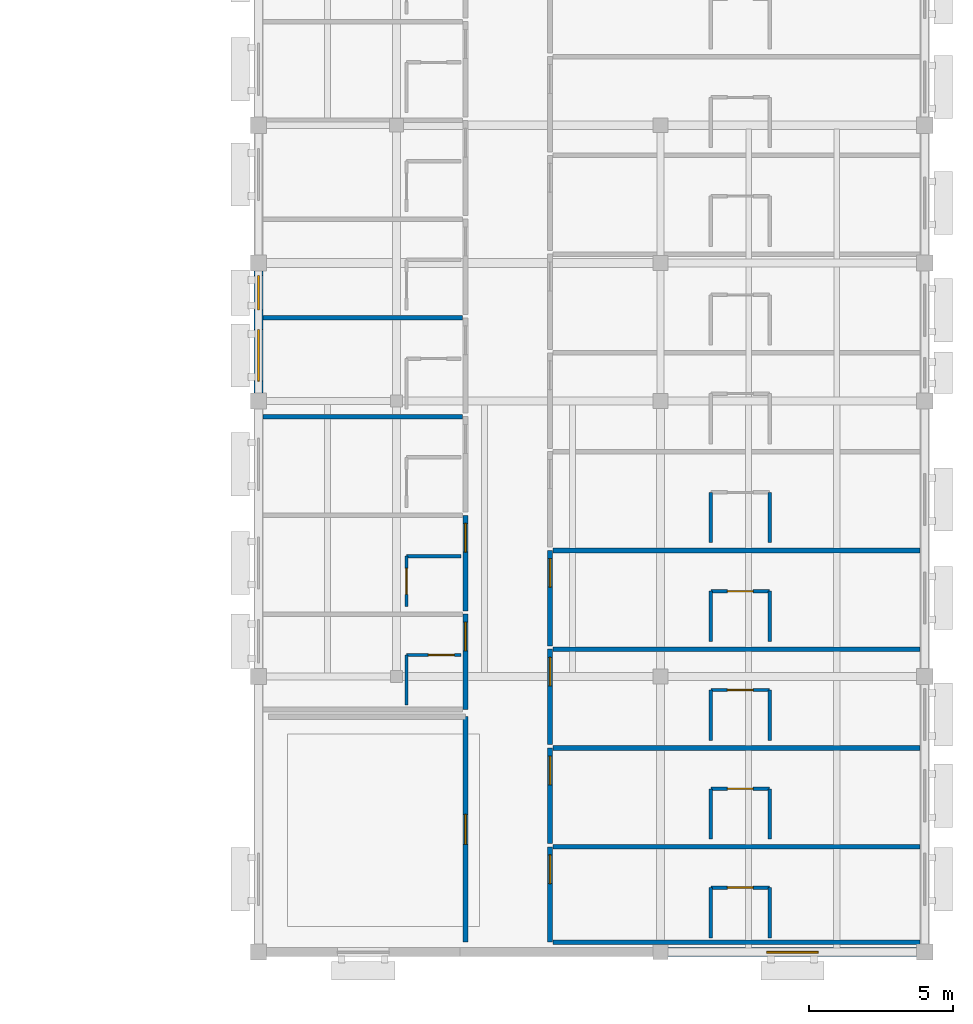
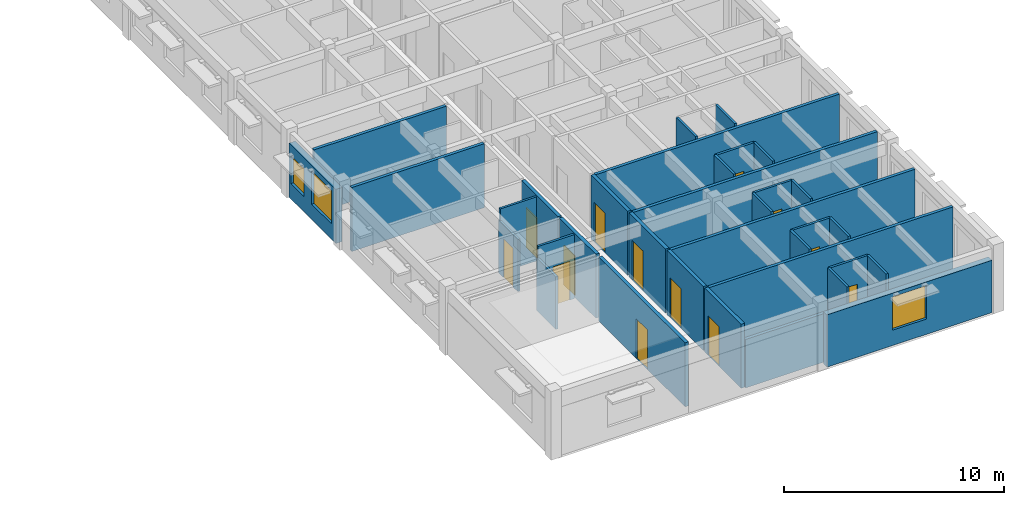
# One storey, part 10 of 31: 34 walls, 13 doors, 3 windows, 16 openings.
"""IFC4 building model written with IfcOpenShell, lengths in metres."""

from ifc_helpers import new_model, si_unit, direction, frame, frame_2d, origin, place, context, subcontext, project, spatial, rectangle, extrude, material, layer, layer_set, type_object, element, fill, save


model = new_model("IFC4")

# Units and contexts
model_context = context("Model", 3, precision=1e-05, world=origin(), true_north=direction((0.0, 1.0)))
body_context = subcontext(model_context, "Body", "Model", "MODEL_VIEW")
ifc_project = project(units=[si_unit("LENGTHUNIT", "METRE"), si_unit("AREAUNIT", "SQUARE_METRE"), si_unit("VOLUMEUNIT", "CUBIC_METRE"), si_unit("PLANEANGLEUNIT", "RADIAN"), si_unit("MASSUNIT", "GRAM", prefix="KILO")], contexts=[model_context])

# Site, building, storey
site_placement = place(None, origin())
site = spatial("IfcSite", under=ifc_project, at=site_placement, CompositionType="ELEMENT")
building_placement = place(site_placement, origin())
building = spatial("IfcBuilding", under=site, at=building_placement, Name="Veldera Park Congress Hotel", CompositionType="ELEMENT")
storey_placement = place(building_placement, frame((0.0, 0.0, 20.0)))
storey = spatial("IfcBuildingStorey", under=building, at=storey_placement, Name="L04", CompositionType="ELEMENT", Elevation=20.0)

# Wall, opening, window
ifc_material_1 = material(Name="Cross-laminated timber CLT V2M1.1", Category="wood")
ifc_layer_1 = layer(ifc_material_1, 0.320068359375)
ifc_layer_set_1 = layer_set([ifc_layer_1], Name="Cross-laminated timber CLT V2M1.1")
wall_type_1 = type_object("IfcWallType", Name="EW-CLT320", PredefinedType="STANDARD", material=ifc_layer_set_1)
wall_1_placement = place(storey_placement, frame((75.05810546875, -47.39990234375, 0.0), z_axis=(0.0, 0.0, 1.0), x_axis=(1.0, 0.0, 0.0)))
wall_1 = element("IfcWall", 1, at=wall_1_placement, inside=storey, type_object=wall_type_1, Name="L04 Exterior Wall EW3-L04-0244", PredefinedType="STANDARD", context=body_context, shape_type="SweptSolid", body=[
    extrude(rectangle(XDim=8.663818359375, YDim=0.320068359375, at=frame_2d((4.33203125, 0.0))), origin(), (0.0, 0.0, 1.0), 2.905029296875),
])
opening_1_placement = place(wall_1_placement, frame((3.431884765625, 0.0, 0.85009765625)))
opening_1 = element("IfcOpeningElement", 2, at=opening_1_placement, cuts=wall_1, Name="Opening WIN-1800", PredefinedType="OPENING", context=body_context, shape_type="SweptSolid", body=[
    extrude(rectangle(XDim=1.800048828125, YDim=1.85009765625, at=frame_2d((0.89990234375, 0.925048828125))), frame((0.0, 0.172119140625, 0.0), z_axis=(0.0, -1.0, 0.0), x_axis=(1.0, 0.0, 0.0)), (0.0, 0.0, 1.0), 0.343994140625),
])
ifc_material_2 = material(Name="Low-E Triple Insulating Glass Unit (SHGC 0.22)", Category="glass")
window_type_1 = type_object("IfcWindowType", Name="WIN-1800", PartitioningType="SINGLE_PANEL", PredefinedType="WINDOW", material=ifc_material_2)
window_1_placement = place(opening_1_placement, origin())
window_1 = element("IfcWindow", 3, at=window_1_placement, inside=storey, type_object=window_type_1, Name="L04 Window WIN-1800 200", OverallHeight=1.85009765625, OverallWidth=1.800048828125, PartitioningType="SINGLE_PANEL", PredefinedType="WINDOW", context=body_context, shape_type="SweptSolid", body=[
    extrude(rectangle(XDim=1.800048828125, YDim=1.85009765625, at=frame_2d((0.89990234375, 0.925048828125))), frame((0.0, 0.030029296875, 0.0), z_axis=(0.0, -1.0, 0.0), x_axis=(1.0, 0.0, 0.0)), (0.0, 0.0, 1.0), 0.06005859375),
])
fill(opening_1, window_1)

# Wall, openings, windows
wall_2_placement = place(storey_placement, frame((60.800048828125, -23.677978515625, 0.0), z_axis=(0.0, 0.0, 1.0), x_axis=(0.0, -1.0, 0.0)))
wall_2 = element("IfcWall", 4, at=wall_2_placement, inside=storey, type_object=wall_type_1, Name="L04 Exterior Wall EW3-L04-0273", PredefinedType="STANDARD", context=body_context, shape_type="SweptSolid", body=[
    extrude(rectangle(XDim=4.244140625, YDim=0.320068359375, at=frame_2d((2.1220703125, 0.0))), origin(), (0.0, 0.0, 1.0), 3.0048828125),
])
opening_2_placement = place(wall_2_placement, frame((2.0380859375, 0.0, 0.85009765625)))
opening_2 = element("IfcOpeningElement", 5, at=opening_2_placement, cuts=wall_2, Name="Opening WIN-1800", PredefinedType="OPENING", context=body_context, shape_type="SweptSolid", body=[
    extrude(rectangle(XDim=1.800048828125, YDim=1.85009765625, at=frame_2d((0.89990234375, 0.925048828125))), frame((0.0, 0.172119140625, 0.0), z_axis=(0.0, -1.0, 0.0), x_axis=(1.0, 0.0, 0.0)), (0.0, 0.0, 1.0), 0.343994140625),
])
opening_3_placement = place(wall_2_placement, frame((0.156005859375, 0.0, 0.85009765625)))
opening_3 = element("IfcOpeningElement", 6, at=opening_3_placement, cuts=wall_2, Name="Opening WIN-1200", PredefinedType="OPENING", context=body_context, shape_type="SweptSolid", body=[
    extrude(rectangle(XDim=1.199951171875, YDim=1.550048828125, at=frame_2d((0.60009765625, 0.77490234375))), frame((0.0, 0.172119140625, 0.0), z_axis=(0.0, -1.0, 0.0), x_axis=(1.0, 0.0, 0.0)), (0.0, 0.0, 1.0), 0.343994140625),
])
window_type_2 = type_object("IfcWindowType", Name="WIN-1200", PartitioningType="SINGLE_PANEL", PredefinedType="WINDOW", material=ifc_material_2)
window_2_placement = place(opening_3_placement, origin())
window_2 = element("IfcWindow", 7, at=window_2_placement, inside=storey, type_object=window_type_2, Name="L04 Window WIN-1200 443", OverallHeight=1.550048828125, OverallWidth=1.199951171875, PartitioningType="SINGLE_PANEL", PredefinedType="WINDOW", context=body_context, shape_type="SweptSolid", body=[
    extrude(rectangle(XDim=1.199951171875, YDim=1.550048828125, at=frame_2d((0.60009765625, 0.77490234375))), frame((0.0, 0.030029296875, 0.0), z_axis=(0.0, -1.0, 0.0), x_axis=(1.0, 0.0, 0.0)), (0.0, 0.0, 1.0), 0.06005859375),
])
fill(opening_3, window_2)
window_3_placement = place(opening_2_placement, origin())
window_3 = element("IfcWindow", 8, at=window_3_placement, inside=storey, type_object=window_type_1, Name="L04 Window WIN-1800 442", OverallHeight=1.85009765625, OverallWidth=1.800048828125, PartitioningType="SINGLE_PANEL", PredefinedType="WINDOW", context=body_context, shape_type="SweptSolid", body=[
    extrude(rectangle(XDim=1.800048828125, YDim=1.85009765625, at=frame_2d((0.89990234375, 0.925048828125))), frame((0.0, 0.030029296875, 0.0), z_axis=(0.0, -1.0, 0.0), x_axis=(1.0, 0.0, 0.0)), (0.0, 0.0, 1.0), 0.06005859375),
])
fill(opening_2, window_3)

# Wall
ifc_material_3 = material(Name="Fire-Rated Gypsum Board on Cold-Formed Steel Studs", Category="steel")
ifc_layer_2 = layer(ifc_material_3, 0.1201171875)
ifc_layer_set_2 = layer_set([ifc_layer_2], Name="Fire-Rated Gypsum Board on Cold-Formed Steel Studs")
wall_type_2 = type_object("IfcWallType", Name="IW-BATH120", PredefinedType="PARTITIONING", material=ifc_layer_set_2)
wall_3_placement = place(storey_placement, frame((65.949951171875, -38.800048828125, 0.0), z_axis=(0.0, 0.0, 1.0), x_axis=(0.0, 1.0, 0.0)))
element("IfcWall", 9, at=wall_3_placement, inside=storey, type_object=wall_type_2, Name="L04 Partition Wall IW3-L04-00805", PredefinedType="PARTITIONING", context=body_context, shape_type="SweptSolid", body=[
    extrude(rectangle(XDim=1.75, YDim=0.1201171875, at=frame_2d((0.875, 0.0))), origin(), (0.0, 0.0, 1.0), 2.905029296875),
])

# Wall, opening, door
wall_4_placement = place(storey_placement, frame((65.949951171875, -37.050048828125, 0.0), z_axis=(0.0, 0.0, 1.0), x_axis=(1.0, 0.0, 0.0)))
wall_4 = element("IfcWall", 10, at=wall_4_placement, inside=storey, type_object=wall_type_2, Name="L04 Partition Wall IW3-L04-00806", PredefinedType="PARTITIONING", context=body_context, shape_type="SweptSolid", body=[
    extrude(rectangle(XDim=1.900146484375, YDim=0.1201171875, at=frame_2d((0.9501953125, 0.0))), origin(), (0.0, 0.0, 1.0), 3.550048828125),
])
opening_4_placement = place(wall_4_placement, frame((0.76611328125, 0.0, 0.0)))
opening_4 = element("IfcOpeningElement", 11, at=opening_4_placement, cuts=wall_4, Name="Opening ID-BATH090", PredefinedType="OPENING", context=body_context, shape_type="SweptSolid", body=[
    extrude(rectangle(XDim=0.89990234375, YDim=2.14990234375, at=frame_2d((0.449951171875, 1.074951171875))), frame((0.0, 0.072021484375, 0.0), z_axis=(0.0, -1.0, 0.0), x_axis=(1.0, 0.0, 0.0)), (0.0, 0.0, 1.0), 0.14404296875),
])
ifc_material_4 = material(Name="Solid Core White Oak Architectural Door", Category="wood")
door_type_1 = type_object("IfcDoorType", Name="ID-BATH090", OperationType="NOTDEFINED", PredefinedType="DOOR", material=ifc_material_4)
door_1_placement = place(opening_4_placement, origin())
door_1 = element("IfcDoor", 12, at=door_1_placement, inside=storey, type_object=door_type_1, Name="L04 En-suite 095 Door ID3-L04-0329 (DR3-ID3-L04-0329)", OperationType="SINGLE_SWING_LEFT", OverallHeight=2.14990234375, OverallWidth=0.89990234375, PredefinedType="DOOR", context=body_context, shape_type="SweptSolid", body=[
    extrude(rectangle(XDim=0.89990234375, YDim=2.14990234375, at=frame_2d((0.449951171875, 1.074951171875))), frame((0.0, 0.02490234375, 0.0), z_axis=(0.0, -1.0, 0.0), x_axis=(1.0, 0.0, 0.0)), (0.0, 0.0, 1.0), 0.050048828125),
])
fill(opening_4, door_1)

wall_5_placement = place(storey_placement, frame((65.949951171875, -35.360107421875, 0.0), z_axis=(0.0, 0.0, 1.0), x_axis=(0.0, 1.0, 0.0)))
wall_5 = element("IfcWall", 13, at=wall_5_placement, inside=storey, type_object=wall_type_2, Name="L04 Partition Wall IW3-L04-00809", PredefinedType="PARTITIONING", context=body_context, shape_type="SweptSolid", body=[
    extrude(rectangle(XDim=1.75, YDim=0.1201171875, at=frame_2d((0.875, 0.0))), origin(), (0.0, 0.0, 1.0), 2.905029296875),
])
opening_5_placement = place(wall_5_placement, frame((0.425048828125, 0.0, 0.0)))
opening_5 = element("IfcOpeningElement", 14, at=opening_5_placement, cuts=wall_5, Name="Opening ID-BATH090", PredefinedType="OPENING", context=body_context, shape_type="SweptSolid", body=[
    extrude(rectangle(XDim=0.89990234375, YDim=2.14990234375, at=frame_2d((0.449951171875, 1.074951171875))), frame((0.0, 0.072021484375, 0.0), z_axis=(0.0, -1.0, 0.0), x_axis=(1.0, 0.0, 0.0)), (0.0, 0.0, 1.0), 0.14404296875),
])
door_2_placement = place(opening_5_placement, origin())
door_2 = element("IfcDoor", 15, at=door_2_placement, inside=storey, type_object=door_type_1, Name="L04 En-suite 096 Door ID3-L04-0331 (DR3-ID3-L04-0331)", OperationType="SINGLE_SWING_LEFT", OverallHeight=2.14990234375, OverallWidth=0.89990234375, PredefinedType="DOOR", context=body_context, shape_type="SweptSolid", body=[
    extrude(rectangle(XDim=0.89990234375, YDim=2.14990234375, at=frame_2d((0.449951171875, 1.074951171875))), frame((0.0, 0.02490234375, 0.0), z_axis=(0.0, -1.0, 0.0), x_axis=(1.0, 0.0, 0.0)), (0.0, 0.0, 1.0), 0.050048828125),
])
fill(opening_5, door_2)

# Walls
wall_6_placement = place(storey_placement, frame((65.949951171875, -33.610107421875, 0.0), z_axis=(0.0, 0.0, 1.0), x_axis=(1.0, 0.0, 0.0)))
element("IfcWall", 16, at=wall_6_placement, inside=storey, type_object=wall_type_2, Name="L04 Partition Wall IW3-L04-00810", PredefinedType="PARTITIONING", context=body_context, shape_type="SweptSolid", body=[
    extrude(rectangle(XDim=1.900146484375, YDim=0.1201171875, at=frame_2d((0.9501953125, 0.0))), origin(), (0.0, 0.0, 1.0), 3.550048828125),
])
for number, where, z_axis, x_axis, name in (
    (17, (76.550048828125, -46.89990234375, 0.0), (0.0, 0.0, 1.0), (0.0, 1.0, 0.0), "L04 Partition Wall IW3-L04-00882"),
    (18, (78.60009765625, -46.89990234375, 0.0), (0.0, 0.0, 1.0), (0.0, 1.0, 0.0), "L04 Partition Wall IW3-L04-00883"),
):
    element("IfcWall", number, at=place(storey_placement, frame(where, z_axis=z_axis, x_axis=x_axis)), inside=storey, type_object=wall_type_2, Name=name, PredefinedType="PARTITIONING", context=body_context, shape_type="SweptSolid", body=[
        extrude(rectangle(XDim=1.75, YDim=0.1201171875, at=frame_2d((0.875, 0.0))), origin(), (0.0, 0.0, 1.0), 3.550048828125),
    ])

# Wall, opening, door
wall_7_placement = place(storey_placement, frame((76.550048828125, -45.14990234375, 0.0), z_axis=(0.0, 0.0, 1.0), x_axis=(1.0, 0.0, 0.0)))
wall_7 = element("IfcWall", 19, at=wall_7_placement, inside=storey, type_object=wall_type_2, Name="L04 Partition Wall IW3-L04-00884", PredefinedType="PARTITIONING", context=body_context, shape_type="SweptSolid", body=[
    extrude(rectangle(XDim=2.050048828125, YDim=0.1201171875, at=frame_2d((1.02490234375, 0.0))), origin(), (0.0, 0.0, 1.0), 3.550048828125),
])
opening_6_placement = place(wall_7_placement, frame((0.574951171875, 0.0, 0.0)))
opening_6 = element("IfcOpeningElement", 20, at=opening_6_placement, cuts=wall_7, Name="Opening ID-BATH090", PredefinedType="OPENING", context=body_context, shape_type="SweptSolid", body=[
    extrude(rectangle(XDim=0.89990234375, YDim=2.14990234375, at=frame_2d((0.449951171875, 1.074951171875))), frame((0.0, 0.072021484375, 0.0), z_axis=(0.0, -1.0, 0.0), x_axis=(1.0, 0.0, 0.0)), (0.0, 0.0, 1.0), 0.14404296875),
])
door_3_placement = place(opening_6_placement, origin())
door_3 = element("IfcDoor", 21, at=door_3_placement, inside=storey, type_object=door_type_1, Name="L04 En-suite 114 Door ID3-L04-0367 (DR3-ID3-L04-0367)", OperationType="SINGLE_SWING_LEFT", OverallHeight=2.14990234375, OverallWidth=0.89990234375, PredefinedType="DOOR", context=body_context, shape_type="SweptSolid", body=[
    extrude(rectangle(XDim=0.89990234375, YDim=2.14990234375, at=frame_2d((0.449951171875, 1.074951171875))), frame((0.0, 0.02490234375, 0.0), z_axis=(0.0, -1.0, 0.0), x_axis=(1.0, 0.0, 0.0)), (0.0, 0.0, 1.0), 0.050048828125),
])
fill(opening_6, door_3)

# Walls
for number, where, z_axis, x_axis, name in (
    (22, (76.550048828125, -43.4599609375, 0.0), (0.0, 0.0, 1.0), (0.0, 1.0, 0.0), "L04 Partition Wall IW3-L04-00887"),
    (23, (78.60009765625, -43.4599609375, 0.0), (0.0, 0.0, 1.0), (0.0, 1.0, 0.0), "L04 Partition Wall IW3-L04-00888"),
):
    element("IfcWall", number, at=place(storey_placement, frame(where, z_axis=z_axis, x_axis=x_axis)), inside=storey, type_object=wall_type_2, Name=name, PredefinedType="PARTITIONING", context=body_context, shape_type="SweptSolid", body=[
        extrude(rectangle(XDim=1.75, YDim=0.1201171875, at=frame_2d((0.875, 0.0))), origin(), (0.0, 0.0, 1.0), 3.550048828125),
    ])

# Wall, opening, door
wall_8_placement = place(storey_placement, frame((76.550048828125, -41.7099609375, 0.0), z_axis=(0.0, 0.0, 1.0), x_axis=(1.0, 0.0, 0.0)))
wall_8 = element("IfcWall", 24, at=wall_8_placement, inside=storey, type_object=wall_type_2, Name="L04 Partition Wall IW3-L04-00889", PredefinedType="PARTITIONING", context=body_context, shape_type="SweptSolid", body=[
    extrude(rectangle(XDim=2.050048828125, YDim=0.1201171875, at=frame_2d((1.02490234375, 0.0))), origin(), (0.0, 0.0, 1.0), 3.550048828125),
])
opening_7_placement = place(wall_8_placement, frame((0.574951171875, 0.0, 0.0)))
opening_7 = element("IfcOpeningElement", 25, at=opening_7_placement, cuts=wall_8, Name="Opening ID-BATH090", PredefinedType="OPENING", context=body_context, shape_type="SweptSolid", body=[
    extrude(rectangle(XDim=0.89990234375, YDim=2.14990234375, at=frame_2d((0.449951171875, 1.074951171875))), frame((0.0, 0.072021484375, 0.0), z_axis=(0.0, -1.0, 0.0), x_axis=(1.0, 0.0, 0.0)), (0.0, 0.0, 1.0), 0.14404296875),
])
door_4_placement = place(opening_7_placement, origin())
door_4 = element("IfcDoor", 26, at=door_4_placement, inside=storey, type_object=door_type_1, Name="L04 En-suite 115 Door ID3-L04-0369 (DR3-ID3-L04-0369)", OperationType="SINGLE_SWING_LEFT", OverallHeight=2.14990234375, OverallWidth=0.89990234375, PredefinedType="DOOR", context=body_context, shape_type="SweptSolid", body=[
    extrude(rectangle(XDim=0.89990234375, YDim=2.14990234375, at=frame_2d((0.449951171875, 1.074951171875))), frame((0.0, 0.02490234375, 0.0), z_axis=(0.0, -1.0, 0.0), x_axis=(1.0, 0.0, 0.0)), (0.0, 0.0, 1.0), 0.050048828125),
])
fill(opening_7, door_4)

# Walls
for number, where, z_axis, x_axis, name in (
    (27, (76.550048828125, -40.02001953125, 0.0), (0.0, 0.0, 1.0), (0.0, 1.0, 0.0), "L04 Partition Wall IW3-L04-00892"),
    (28, (78.60009765625, -40.02001953125, 0.0), (0.0, 0.0, 1.0), (0.0, 1.0, 0.0), "L04 Partition Wall IW3-L04-00893"),
):
    element("IfcWall", number, at=place(storey_placement, frame(where, z_axis=z_axis, x_axis=x_axis)), inside=storey, type_object=wall_type_2, Name=name, PredefinedType="PARTITIONING", context=body_context, shape_type="SweptSolid", body=[
        extrude(rectangle(XDim=1.75, YDim=0.1201171875, at=frame_2d((0.875, 0.0))), origin(), (0.0, 0.0, 1.0), 3.550048828125),
    ])

# Wall, opening, door
wall_9_placement = place(storey_placement, frame((76.550048828125, -38.27001953125, 0.0), z_axis=(0.0, 0.0, 1.0), x_axis=(1.0, 0.0, 0.0)))
wall_9 = element("IfcWall", 29, at=wall_9_placement, inside=storey, type_object=wall_type_2, Name="L04 Partition Wall IW3-L04-00894", PredefinedType="PARTITIONING", context=body_context, shape_type="SweptSolid", body=[
    extrude(rectangle(XDim=2.050048828125, YDim=0.1201171875, at=frame_2d((1.02490234375, 0.0))), origin(), (0.0, 0.0, 1.0), 3.550048828125),
])
opening_8_placement = place(wall_9_placement, frame((0.574951171875, 0.0, 0.0)))
opening_8 = element("IfcOpeningElement", 30, at=opening_8_placement, cuts=wall_9, Name="Opening ID-BATH090", PredefinedType="OPENING", context=body_context, shape_type="SweptSolid", body=[
    extrude(rectangle(XDim=0.89990234375, YDim=2.14990234375, at=frame_2d((0.449951171875, 1.074951171875))), frame((0.0, 0.072021484375, 0.0), z_axis=(0.0, -1.0, 0.0), x_axis=(1.0, 0.0, 0.0)), (0.0, 0.0, 1.0), 0.14404296875),
])
door_5_placement = place(opening_8_placement, origin())
door_5 = element("IfcDoor", 31, at=door_5_placement, inside=storey, type_object=door_type_1, Name="L04 En-suite 116 Door ID3-L04-0371 (DR3-ID3-L04-0371)", OperationType="SINGLE_SWING_LEFT", OverallHeight=2.14990234375, OverallWidth=0.89990234375, PredefinedType="DOOR", context=body_context, shape_type="SweptSolid", body=[
    extrude(rectangle(XDim=0.89990234375, YDim=2.14990234375, at=frame_2d((0.449951171875, 1.074951171875))), frame((0.0, 0.02490234375, 0.0), z_axis=(0.0, -1.0, 0.0), x_axis=(1.0, 0.0, 0.0)), (0.0, 0.0, 1.0), 0.050048828125),
])
fill(opening_8, door_5)

# Walls
for number, where, z_axis, x_axis, name in (
    (32, (76.550048828125, -36.580078125, 0.0), (0.0, 0.0, 1.0), (0.0, 1.0, 0.0), "L04 Partition Wall IW3-L04-00897"),
    (33, (78.60009765625, -36.580078125, 0.0), (0.0, 0.0, 1.0), (0.0, 1.0, 0.0), "L04 Partition Wall IW3-L04-00898"),
):
    element("IfcWall", number, at=place(storey_placement, frame(where, z_axis=z_axis, x_axis=x_axis)), inside=storey, type_object=wall_type_2, Name=name, PredefinedType="PARTITIONING", context=body_context, shape_type="SweptSolid", body=[
        extrude(rectangle(XDim=1.75, YDim=0.1201171875, at=frame_2d((0.875, 0.0))), origin(), (0.0, 0.0, 1.0), 3.550048828125),
    ])

# Wall, opening, door
wall_10_placement = place(storey_placement, frame((76.550048828125, -34.830078125, 0.0), z_axis=(0.0, 0.0, 1.0), x_axis=(1.0, 0.0, 0.0)))
wall_10 = element("IfcWall", 34, at=wall_10_placement, inside=storey, type_object=wall_type_2, Name="L04 Partition Wall IW3-L04-00899", PredefinedType="PARTITIONING", context=body_context, shape_type="SweptSolid", body=[
    extrude(rectangle(XDim=2.050048828125, YDim=0.1201171875, at=frame_2d((1.02490234375, 0.0))), origin(), (0.0, 0.0, 1.0), 3.550048828125),
])
opening_9_placement = place(wall_10_placement, frame((0.574951171875, 0.0, 0.0)))
opening_9 = element("IfcOpeningElement", 35, at=opening_9_placement, cuts=wall_10, Name="Opening ID-BATH090", PredefinedType="OPENING", context=body_context, shape_type="SweptSolid", body=[
    extrude(rectangle(XDim=0.89990234375, YDim=2.14990234375, at=frame_2d((0.449951171875, 1.074951171875))), frame((0.0, 0.072021484375, 0.0), z_axis=(0.0, -1.0, 0.0), x_axis=(1.0, 0.0, 0.0)), (0.0, 0.0, 1.0), 0.14404296875),
])
door_6_placement = place(opening_9_placement, origin())
door_6 = element("IfcDoor", 36, at=door_6_placement, inside=storey, type_object=door_type_1, Name="L04 En-suite 117 Door ID3-L04-0373 (DR3-ID3-L04-0373)", OperationType="SINGLE_SWING_LEFT", OverallHeight=2.14990234375, OverallWidth=0.89990234375, PredefinedType="DOOR", context=body_context, shape_type="SweptSolid", body=[
    extrude(rectangle(XDim=0.89990234375, YDim=2.14990234375, at=frame_2d((0.449951171875, 1.074951171875))), frame((0.0, 0.02490234375, 0.0), z_axis=(0.0, -1.0, 0.0), x_axis=(1.0, 0.0, 0.0)), (0.0, 0.0, 1.0), 0.050048828125),
])
fill(opening_9, door_6)

# Walls
for number, where, z_axis, x_axis, name in (
    (37, (76.550048828125, -33.139892578125, 0.0), (0.0, 0.0, 1.0), (0.0, 1.0, 0.0), "L04 Partition Wall IW3-L04-00902"),
    (38, (78.60009765625, -33.139892578125, 0.0), (0.0, 0.0, 1.0), (0.0, 1.0, 0.0), "L04 Partition Wall IW3-L04-00903"),
):
    element("IfcWall", number, at=place(storey_placement, frame(where, z_axis=z_axis, x_axis=x_axis)), inside=storey, type_object=wall_type_2, Name=name, PredefinedType="PARTITIONING", context=body_context, shape_type="SweptSolid", body=[
        extrude(rectangle(XDim=1.75, YDim=0.1201171875, at=frame_2d((0.875, 0.0))), origin(), (0.0, 0.0, 1.0), 3.550048828125),
    ])

# Wall, opening, door
ifc_layer_3 = layer(ifc_material_3, 0.179931640625)
ifc_layer_set_3 = layer_set([ifc_layer_3], Name="Fire-Rated Gypsum Board on Cold-Formed Steel Studs")
wall_type_3 = type_object("IfcWallType", Name="IW-CORR180", PredefinedType="PARTITIONING", material=ifc_layer_set_3)
wall_11_placement = place(storey_placement, frame((68.0, -47.050048828125, 0.0), z_axis=(0.0, 0.0, 1.0), x_axis=(0.0, 1.0, 0.0)))
wall_11 = element("IfcWall", 39, at=wall_11_placement, inside=storey, type_object=wall_type_3, Name="L04 Partition Wall IW3-L04-00249", PredefinedType="PARTITIONING", context=body_context, shape_type="SweptSolid", body=[
    extrude(rectangle(XDim=7.85009765625, YDim=0.179931640625, at=frame_2d((3.925048828125, 0.0))), origin(), (0.0, 0.0, 1.0), 3.550048828125),
])
opening_10_placement = place(wall_11_placement, frame((3.39990234375, 0.0, 0.0)))
opening_10 = element("IfcOpeningElement", 40, at=opening_10_placement, cuts=wall_11, Name="Opening ID-MEET105", PredefinedType="OPENING", context=body_context, shape_type="SweptSolid", body=[
    extrude(rectangle(XDim=1.050048828125, YDim=2.199951171875, at=frame_2d((0.52490234375, 1.10009765625))), frame((0.0, 0.10205078125, 0.0), z_axis=(0.0, -1.0, 0.0), x_axis=(1.0, 0.0, 0.0)), (0.0, 0.0, 1.0), 0.203857421875),
])
door_type_2 = type_object("IfcDoorType", Name="ID-MEET105", OperationType="NOTDEFINED", PredefinedType="DOOR", material=ifc_material_4)
door_7_placement = place(opening_10_placement, origin())
door_7 = element("IfcDoor", 41, at=door_7_placement, inside=storey, type_object=door_type_2, Name="L04 Recovery Cryo and Wellness Lounge Door ID3-L04-0090 (DR3-ID3-L04-0090)", OperationType="SINGLE_SWING_LEFT", OverallHeight=2.199951171875, OverallWidth=1.050048828125, PredefinedType="DOOR", context=body_context, shape_type="SweptSolid", body=[
    extrude(rectangle(XDim=1.050048828125, YDim=2.199951171875, at=frame_2d((0.52490234375, 1.10009765625))), frame((0.0, 0.02490234375, 0.0), z_axis=(0.0, -1.0, 0.0), x_axis=(1.0, 0.0, 0.0)), (0.0, 0.0, 1.0), 0.050048828125),
])
fill(opening_10, door_7)

wall_12_placement = place(storey_placement, frame((68.0, -38.949951171875, 0.0), z_axis=(0.0, 0.0, 1.0), x_axis=(0.0, 1.0, 0.0)))
wall_12 = element("IfcWall", 42, at=wall_12_placement, inside=storey, type_object=wall_type_3, Name="L04 Corridor Wall IW3-L04-00802", PredefinedType="PARTITIONING", context=body_context, shape_type="SweptSolid", body=[
    extrude(rectangle(XDim=3.320068359375, YDim=0.179931640625, at=frame_2d((1.66015625, 0.0))), origin(), (0.0, 0.0, 1.0), 3.550048828125),
])
opening_11_placement = place(wall_12_placement, frame((2.0400390625, 0.0, 0.0)))
opening_11 = element("IfcOpeningElement", 43, at=opening_11_placement, cuts=wall_12, Name="Opening ID-UNIT100", PredefinedType="OPENING", context=body_context, shape_type="SweptSolid", body=[
    extrude(rectangle(XDim=1.0, YDim=2.199951171875, at=frame_2d((0.5, 1.10009765625))), frame((0.0, 0.10205078125, 0.0), z_axis=(0.0, -1.0, 0.0), x_axis=(1.0, 0.0, 0.0)), (0.0, 0.0, 1.0), 0.203857421875),
])
door_type_3 = type_object("IfcDoorType", Name="ID-UNIT100", OperationType="NOTDEFINED", PredefinedType="DOOR", material=ifc_material_4)
door_8_placement = place(opening_11_placement, origin())
door_8 = element("IfcDoor", 44, at=door_8_placement, inside=storey, type_object=door_type_3, Name="L04 Guestroom 095 Entry Door (DR3-UD3-L04-095)", OperationType="SINGLE_SWING_RIGHT", OverallHeight=2.199951171875, OverallWidth=1.0, PredefinedType="DOOR", context=body_context, shape_type="SweptSolid", body=[
    extrude(rectangle(XDim=1.0, YDim=2.199951171875, at=frame_2d((0.5, 1.10009765625))), frame((0.0, 0.02490234375, 0.0), z_axis=(0.0, -1.0, 0.0), x_axis=(1.0, 0.0, 0.0)), (0.0, 0.0, 1.0), 0.050048828125),
])
fill(opening_11, door_8)

wall_13_placement = place(storey_placement, frame((68.0, -35.510009765625, 0.0), z_axis=(0.0, 0.0, 1.0), x_axis=(0.0, 1.0, 0.0)))
wall_13 = element("IfcWall", 45, at=wall_13_placement, inside=storey, type_object=wall_type_3, Name="L04 Corridor Wall IW3-L04-00807", PredefinedType="PARTITIONING", context=body_context, shape_type="SweptSolid", body=[
    extrude(rectangle(XDim=3.320068359375, YDim=0.179931640625, at=frame_2d((1.66015625, 0.0))), origin(), (0.0, 0.0, 1.0), 3.550048828125),
])
opening_12_placement = place(wall_13_placement, frame((2.0400390625, 0.0, 0.0)))
opening_12 = element("IfcOpeningElement", 46, at=opening_12_placement, cuts=wall_13, Name="Opening ID-UNIT100", PredefinedType="OPENING", context=body_context, shape_type="SweptSolid", body=[
    extrude(rectangle(XDim=1.0, YDim=2.199951171875, at=frame_2d((0.5, 1.10009765625))), frame((0.0, 0.10205078125, 0.0), z_axis=(0.0, -1.0, 0.0), x_axis=(1.0, 0.0, 0.0)), (0.0, 0.0, 1.0), 0.203857421875),
])
door_9_placement = place(opening_12_placement, origin())
door_9 = element("IfcDoor", 47, at=door_9_placement, inside=storey, type_object=door_type_3, Name="L04 Guestroom 096 Entry Door (DR3-UD3-L04-096)", OperationType="SINGLE_SWING_RIGHT", OverallHeight=2.199951171875, OverallWidth=1.0, PredefinedType="DOOR", context=body_context, shape_type="SweptSolid", body=[
    extrude(rectangle(XDim=1.0, YDim=2.199951171875, at=frame_2d((0.5, 1.10009765625))), frame((0.0, 0.02490234375, 0.0), z_axis=(0.0, -1.0, 0.0), x_axis=(1.0, 0.0, 0.0)), (0.0, 0.0, 1.0), 0.050048828125),
])
fill(opening_12, door_9)

wall_14_placement = place(storey_placement, frame((70.949951171875, -43.72998046875, 0.0), z_axis=(0.0, 0.0, 1.0), x_axis=(0.0, -1.0, 0.0)))
wall_14 = element("IfcWall", 48, at=wall_14_placement, inside=storey, type_object=wall_type_3, Name="L04 Corridor Wall IW3-L04-00879", PredefinedType="PARTITIONING", context=body_context, shape_type="SweptSolid", body=[
    extrude(rectangle(XDim=3.320068359375, YDim=0.179931640625, at=frame_2d((1.66015625, 0.0))), origin(), (0.0, 0.0, 1.0), 3.550048828125),
])
opening_13_placement = place(wall_14_placement, frame((0.280029296875, 0.0, 0.0)))
opening_13 = element("IfcOpeningElement", 49, at=opening_13_placement, cuts=wall_14, Name="Opening ID-UNIT100", PredefinedType="OPENING", context=body_context, shape_type="SweptSolid", body=[
    extrude(rectangle(XDim=1.0, YDim=2.199951171875, at=frame_2d((0.5, 1.10009765625))), frame((0.0, 0.10205078125, 0.0), z_axis=(0.0, -1.0, 0.0), x_axis=(1.0, 0.0, 0.0)), (0.0, 0.0, 1.0), 0.203857421875),
])
door_10_placement = place(opening_13_placement, origin())
door_10 = element("IfcDoor", 50, at=door_10_placement, inside=storey, type_object=door_type_3, Name="L04 Guestroom 114 Entry Door (DR3-UD3-L04-114)", OperationType="SINGLE_SWING_RIGHT", OverallHeight=2.199951171875, OverallWidth=1.0, PredefinedType="DOOR", context=body_context, shape_type="SweptSolid", body=[
    extrude(rectangle(XDim=1.0, YDim=2.199951171875, at=frame_2d((0.5, 1.10009765625))), frame((0.0, 0.02490234375, 0.0), z_axis=(0.0, -1.0, 0.0), x_axis=(1.0, 0.0, 0.0)), (0.0, 0.0, 1.0), 0.050048828125),
])
fill(opening_13, door_10)

wall_15_placement = place(storey_placement, frame((70.949951171875, -40.2900390625, 0.0), z_axis=(0.0, 0.0, 1.0), x_axis=(0.0, -1.0, 0.0)))
wall_15 = element("IfcWall", 51, at=wall_15_placement, inside=storey, type_object=wall_type_3, Name="L04 Corridor Wall IW3-L04-00885", PredefinedType="PARTITIONING", context=body_context, shape_type="SweptSolid", body=[
    extrude(rectangle(XDim=3.320068359375, YDim=0.179931640625, at=frame_2d((1.66015625, 0.0))), origin(), (0.0, 0.0, 1.0), 3.550048828125),
])
opening_14_placement = place(wall_15_placement, frame((0.280029296875, 0.0, 0.0)))
opening_14 = element("IfcOpeningElement", 52, at=opening_14_placement, cuts=wall_15, Name="Opening ID-UNIT100", PredefinedType="OPENING", context=body_context, shape_type="SweptSolid", body=[
    extrude(rectangle(XDim=1.0, YDim=2.199951171875, at=frame_2d((0.5, 1.10009765625))), frame((0.0, 0.10205078125, 0.0), z_axis=(0.0, -1.0, 0.0), x_axis=(1.0, 0.0, 0.0)), (0.0, 0.0, 1.0), 0.203857421875),
])
door_11_placement = place(opening_14_placement, origin())
door_11 = element("IfcDoor", 53, at=door_11_placement, inside=storey, type_object=door_type_3, Name="L04 Guestroom 115 Entry Door (DR3-UD3-L04-115)", OperationType="SINGLE_SWING_RIGHT", OverallHeight=2.199951171875, OverallWidth=1.0, PredefinedType="DOOR", context=body_context, shape_type="SweptSolid", body=[
    extrude(rectangle(XDim=1.0, YDim=2.199951171875, at=frame_2d((0.5, 1.10009765625))), frame((0.0, 0.02490234375, 0.0), z_axis=(0.0, -1.0, 0.0), x_axis=(1.0, 0.0, 0.0)), (0.0, 0.0, 1.0), 0.050048828125),
])
fill(opening_14, door_11)

wall_16_placement = place(storey_placement, frame((70.949951171875, -36.85009765625, 0.0), z_axis=(0.0, 0.0, 1.0), x_axis=(0.0, -1.0, 0.0)))
wall_16 = element("IfcWall", 54, at=wall_16_placement, inside=storey, type_object=wall_type_3, Name="L04 Corridor Wall IW3-L04-00890", PredefinedType="PARTITIONING", context=body_context, shape_type="SweptSolid", body=[
    extrude(rectangle(XDim=3.31982421875, YDim=0.179931640625, at=frame_2d((1.659912109375, 0.0))), origin(), (0.0, 0.0, 1.0), 3.550048828125),
])
opening_15_placement = place(wall_16_placement, frame((0.280029296875, 0.0, 0.0)))
opening_15 = element("IfcOpeningElement", 55, at=opening_15_placement, cuts=wall_16, Name="Opening ID-UNIT100", PredefinedType="OPENING", context=body_context, shape_type="SweptSolid", body=[
    extrude(rectangle(XDim=1.0, YDim=2.199951171875, at=frame_2d((0.5, 1.10009765625))), frame((0.0, 0.10205078125, 0.0), z_axis=(0.0, -1.0, 0.0), x_axis=(1.0, 0.0, 0.0)), (0.0, 0.0, 1.0), 0.203857421875),
])
door_12_placement = place(opening_15_placement, origin())
door_12 = element("IfcDoor", 56, at=door_12_placement, inside=storey, type_object=door_type_3, Name="L04 Guestroom 116 Entry Door (DR3-UD3-L04-116)", OperationType="SINGLE_SWING_RIGHT", OverallHeight=2.199951171875, OverallWidth=1.0, PredefinedType="DOOR", context=body_context, shape_type="SweptSolid", body=[
    extrude(rectangle(XDim=1.0, YDim=2.199951171875, at=frame_2d((0.5, 1.10009765625))), frame((0.0, 0.02490234375, 0.0), z_axis=(0.0, -1.0, 0.0), x_axis=(1.0, 0.0, 0.0)), (0.0, 0.0, 1.0), 0.050048828125),
])
fill(opening_15, door_12)

wall_17_placement = place(storey_placement, frame((70.949951171875, -33.409912109375, 0.0), z_axis=(0.0, 0.0, 1.0), x_axis=(0.0, -1.0, 0.0)))
wall_17 = element("IfcWall", 57, at=wall_17_placement, inside=storey, type_object=wall_type_3, Name="L04 Corridor Wall IW3-L04-00895", PredefinedType="PARTITIONING", context=body_context, shape_type="SweptSolid", body=[
    extrude(rectangle(XDim=3.320068359375, YDim=0.179931640625, at=frame_2d((1.66015625, 0.0))), origin(), (0.0, 0.0, 1.0), 3.550048828125),
])
opening_16_placement = place(wall_17_placement, frame((0.280029296875, 0.0, 0.0)))
opening_16 = element("IfcOpeningElement", 58, at=opening_16_placement, cuts=wall_17, Name="Opening ID-UNIT100", PredefinedType="OPENING", context=body_context, shape_type="SweptSolid", body=[
    extrude(rectangle(XDim=1.0, YDim=2.199951171875, at=frame_2d((0.5, 1.10009765625))), frame((0.0, 0.10205078125, 0.0), z_axis=(0.0, -1.0, 0.0), x_axis=(1.0, 0.0, 0.0)), (0.0, 0.0, 1.0), 0.203857421875),
])
door_13_placement = place(opening_16_placement, origin())
door_13 = element("IfcDoor", 59, at=door_13_placement, inside=storey, type_object=door_type_3, Name="L04 Guestroom 117 Entry Door (DR3-UD3-L04-117)", OperationType="SINGLE_SWING_RIGHT", OverallHeight=2.199951171875, OverallWidth=1.0, PredefinedType="DOOR", context=body_context, shape_type="SweptSolid", body=[
    extrude(rectangle(XDim=1.0, YDim=2.199951171875, at=frame_2d((0.5, 1.10009765625))), frame((0.0, 0.02490234375, 0.0), z_axis=(0.0, -1.0, 0.0), x_axis=(1.0, 0.0, 0.0)), (0.0, 0.0, 1.0), 0.050048828125),
])
fill(opening_16, door_13)

# Walls
ifc_layer_4 = layer(ifc_material_1, 0.159912109375)
ifc_layer_set_4 = layer_set([ifc_layer_4], Name="Cross-laminated timber CLT V2M1.1")
wall_type_4 = type_object("IfcWallType", Name="IW-UNIT160", PredefinedType="PARTITIONING", material=ifc_layer_set_4)
for number, where, z_axis, x_axis, name in (
    (60, (60.9599609375, -28.75, 0.0), (0.0, 0.0, 1.0), (1.0, 0.0, 0.0), "L04 Partition Wall IW3-L04-00812"),
    (61, (60.9599609375, -25.31005859375, 0.0), (0.0, 0.0, 1.0), (1.0, 0.0, 0.0), "L04 Partition Wall IW3-L04-00816"),
):
    element("IfcWall", number, at=place(storey_placement, frame(where, z_axis=z_axis, x_axis=x_axis)), inside=storey, type_object=wall_type_4, Name=name, PredefinedType="PARTITIONING", context=body_context, shape_type="SweptSolid", body=[
        extrude(rectangle(XDim=6.93994140625, YDim=0.159912109375, at=frame_2d((3.469970703125, 0.0))), origin(), (0.0, 0.0, 1.0), 3.550048828125),
    ])
wall_18_placement = place(storey_placement, frame((71.050048828125, -47.050048828125, 0.0), z_axis=(0.0, 0.0, 1.0), x_axis=(1.0, 0.0, 0.0)))
element("IfcWall", 62, at=wall_18_placement, inside=storey, type_object=wall_type_4, Name="L04 Partition Wall IW3-L04-00880", PredefinedType="PARTITIONING", context=body_context, shape_type="SweptSolid", body=[
    extrude(rectangle(XDim=12.7900390625, YDim=0.159912109375, at=frame_2d((6.39501953125, 0.0))), origin(), (0.0, 0.0, 1.0), 2.68505859375),
])
for number, where, z_axis, x_axis, name in (
    (63, (71.050048828125, -43.72998046875, 0.0), (0.0, 0.0, 1.0), (1.0, 0.0, 0.0), "L04 Partition Wall IW3-L04-00881"),
    (64, (71.050048828125, -40.2900390625, 0.0), (0.0, 0.0, 1.0), (1.0, 0.0, 0.0), "L04 Partition Wall IW3-L04-00886"),
    (65, (71.050048828125, -36.85009765625, 0.0), (0.0, 0.0, 1.0), (1.0, 0.0, 0.0), "L04 Partition Wall IW3-L04-00891"),
    (66, (71.050048828125, -33.409912109375, 0.0), (0.0, 0.0, 1.0), (1.0, 0.0, 0.0), "L04 Partition Wall IW3-L04-00896"),
):
    element("IfcWall", number, at=place(storey_placement, frame(where, z_axis=z_axis, x_axis=x_axis)), inside=storey, type_object=wall_type_4, Name=name, PredefinedType="PARTITIONING", context=body_context, shape_type="SweptSolid", body=[
        extrude(rectangle(XDim=12.7900390625, YDim=0.159912109375, at=frame_2d((6.39501953125, 0.0))), origin(), (0.0, 0.0, 1.0), 3.550048828125),
    ])

save(model, "model.ifc")
